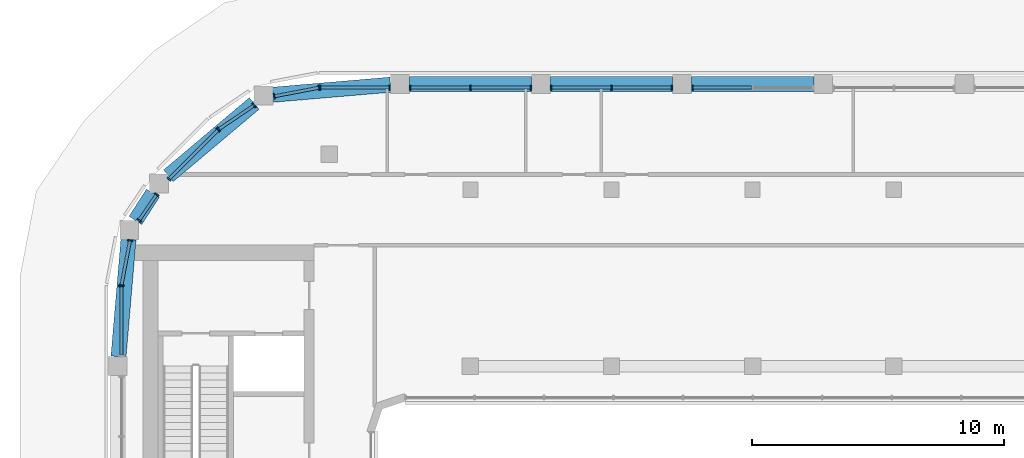
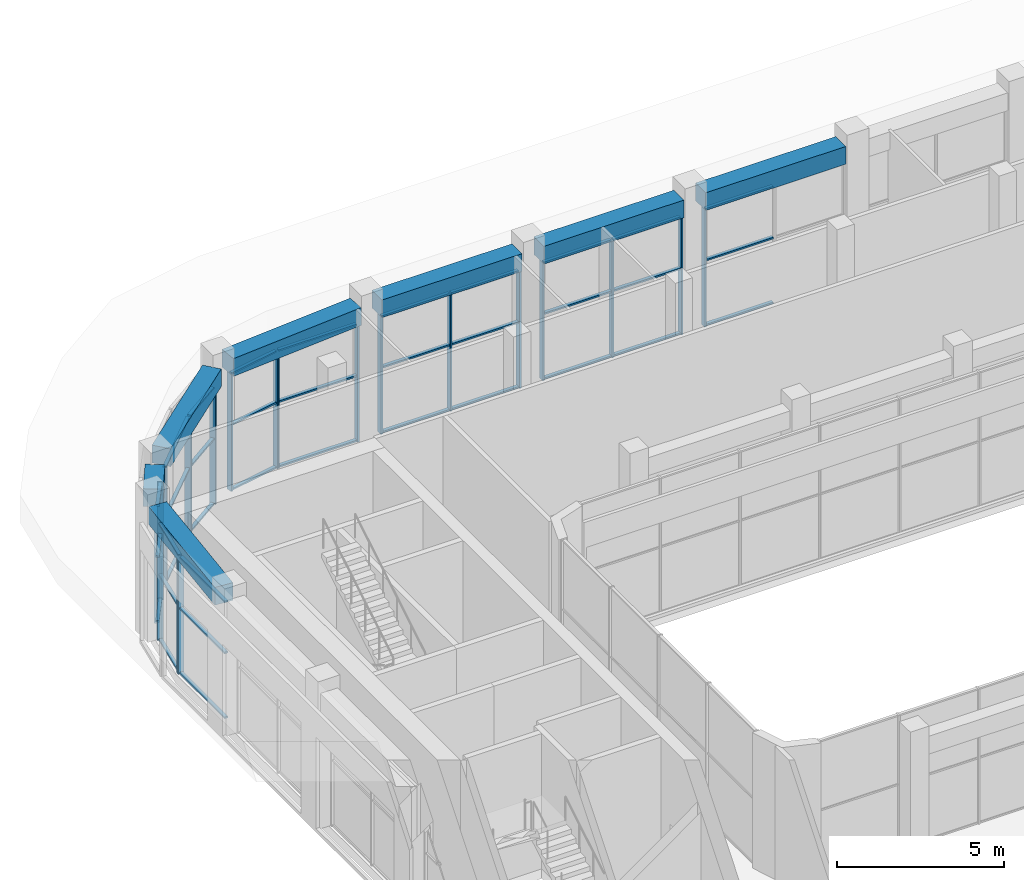
# One storey, part 9 of 24: 56 members, 7 beams, 10 elements without a shape of their own.
"""IFC4 building model written with IfcOpenShell, lengths in metres."""

from ifc_helpers import new_model, si_unit, direction, frame, origin, origin_2d, place, context, subcontext, project, spatial, rectangle, extrude, material, layer, layer_set, material_profile, profile_set, type_object, element, aggregate, save


model = new_model("IFC4")

# Units and contexts
model_context = context("Model", 3, precision=1e-05, world=origin(), true_north=direction((0.0, 1.0)))
body_context = subcontext(model_context, "Body", "Model", "MODEL_VIEW")
ifc_project = project(units=[si_unit("LENGTHUNIT", "METRE"), si_unit("AREAUNIT", "SQUARE_METRE"), si_unit("VOLUMEUNIT", "CUBIC_METRE"), si_unit("PLANEANGLEUNIT", "RADIAN"), si_unit("MASSUNIT", "GRAM", prefix="KILO")], contexts=[model_context])

# Site, building, storey
site_placement = place(None, origin())
site = spatial("IfcSite", under=ifc_project, at=site_placement, CompositionType="ELEMENT")
building_placement = place(site_placement, origin())
building = spatial("IfcBuilding", under=site, at=building_placement, Name="Kiln Ring Residences", CompositionType="ELEMENT")
storey_placement = place(building_placement, frame((0.0, 0.0, 283.699951171875)))
storey = spatial("IfcBuildingStorey", under=building, at=storey_placement, Name="L74", CompositionType="ELEMENT", Elevation=283.699951171875)

# Curtain wall, member
ifc_material_1 = material(Name="Aluminium and glass", Category="aluminium")
ifc_layer = layer(ifc_material_1, 0.199951171875)
ifc_layer_set = layer_set([ifc_layer], Name="CW1 CURTAIN WALL")
curtain_wall_type = type_object("IfcCurtainWallType", Name="CW1 CURTAIN WALL", PredefinedType="NOTDEFINED", material=ifc_layer_set)
placement = place(storey_placement, origin())
curtain_wall_1 = element("IfcCurtainWall", 1, at=placement, inside=storey, type_object=curtain_wall_type, Name="Curtain wall CW1 L74", PredefinedType="NOTDEFINED")
ifc_material_2 = material(Name="Aluminium 6063-T6", Category="aluminium")
ifc_material_profile_1 = material_profile(ifc_material_2, rectangle(XDim=0.199951171875, YDim=0.06005859375, at=origin_2d()), Name="AL 200x60")
ifc_profile_set_1 = profile_set([ifc_material_profile_1], Name="Aluminium 6063-T6")
member_type_1 = type_object("IfcMemberType", Name="CW1 MULLION 200 x 60", PredefinedType="MULLION", material=ifc_profile_set_1)
member_1_placement = place(storey_placement, frame((-2.39501953125, 19.449951171875, 0.0), z_axis=(0.0, 0.0, 1.0), x_axis=(0.0, -1.0, 0.0)))
member_1 = element("IfcMember", 2, at=member_1_placement, type_object=member_type_1, Name="CW1 mullion 3", PredefinedType="MULLION", context=body_context, shape_type="SweptSolid", body=[
    extrude(rectangle(XDim=0.199951171875, YDim=0.06005859375, at=origin_2d()), origin(), (0.0, 0.0, 1.0), 4.300048828125),
])

# Curtain wall, members
curtain_wall_2 = element("IfcCurtainWall", 3, at=placement, inside=storey, type_object=curtain_wall_type, Name="Curtain wall CW1 L74", PredefinedType="NOTDEFINED")
member_2_placement = place(storey_placement, frame((-3.205078125, 19.449951171875, 0.0), z_axis=(0.0, 0.0, 1.0), x_axis=(0.0, -1.0, 0.0)))
member_2 = element("IfcMember", 4, at=member_2_placement, type_object=member_type_1, Name="CW1 mullion 1", PredefinedType="MULLION", context=body_context, shape_type="SweptSolid", body=[
    extrude(rectangle(XDim=0.199951171875, YDim=0.06005859375, at=origin_2d()), origin(), (0.0, 0.0, 1.0), 4.300048828125),
])
member_3_placement = place(storey_placement, frame((-5.60009765625, 19.449951171875, 0.0), z_axis=(0.0, 0.0, 1.0), x_axis=(0.0, -1.0, 0.0)))
member_3 = element("IfcMember", 5, at=member_3_placement, type_object=member_type_1, Name="CW1 mullion 2", PredefinedType="MULLION", context=body_context, shape_type="SweptSolid", body=[
    extrude(rectangle(XDim=0.199951171875, YDim=0.06005859375, at=origin_2d()), origin(), (0.0, 0.0, 1.0), 4.300048828125),
])
member_4_placement = place(storey_placement, frame((-7.9951171875, 19.449951171875, 0.0), z_axis=(0.0, 0.0, 1.0), x_axis=(0.0, -1.0, 0.0)))
member_4 = element("IfcMember", 6, at=member_4_placement, type_object=member_type_1, Name="CW1 mullion 3", PredefinedType="MULLION", context=body_context, shape_type="SweptSolid", body=[
    extrude(rectangle(XDim=0.199951171875, YDim=0.06005859375, at=origin_2d()), origin(), (0.0, 0.0, 1.0), 4.300048828125),
])

curtain_wall_3 = element("IfcCurtainWall", 7, at=placement, inside=storey, type_object=curtain_wall_type, Name="Curtain wall CW1 L74", PredefinedType="NOTDEFINED")
member_5_placement = place(storey_placement, frame((-8.804931640625, 19.449951171875, 0.0), z_axis=(0.0, 0.0, 1.0), x_axis=(0.0, -1.0, 0.0)))
member_5 = element("IfcMember", 8, at=member_5_placement, type_object=member_type_1, Name="CW1 mullion 1", PredefinedType="MULLION", context=body_context, shape_type="SweptSolid", body=[
    extrude(rectangle(XDim=0.199951171875, YDim=0.06005859375, at=origin_2d()), origin(), (0.0, 0.0, 1.0), 4.300048828125),
])
member_6_placement = place(storey_placement, frame((-11.199951171875, 19.449951171875, 0.0), z_axis=(0.0, 0.0, 1.0), x_axis=(0.0, -1.0, 0.0)))
member_6 = element("IfcMember", 9, at=member_6_placement, type_object=member_type_1, Name="CW1 mullion 2", PredefinedType="MULLION", context=body_context, shape_type="SweptSolid", body=[
    extrude(rectangle(XDim=0.199951171875, YDim=0.06005859375, at=origin_2d()), origin(), (0.0, 0.0, 1.0), 4.300048828125),
])
member_7_placement = place(storey_placement, frame((-13.594970703125, 19.449951171875, 0.0), z_axis=(0.0, 0.0, 1.0), x_axis=(0.0, -1.0, 0.0)))
member_7 = element("IfcMember", 10, at=member_7_placement, type_object=member_type_1, Name="CW1 mullion 3", PredefinedType="MULLION", context=body_context, shape_type="SweptSolid", body=[
    extrude(rectangle(XDim=0.199951171875, YDim=0.06005859375, at=origin_2d()), origin(), (0.0, 0.0, 1.0), 4.300048828125),
])

curtain_wall_4 = element("IfcCurtainWall", 11, at=placement, inside=storey, type_object=curtain_wall_type, Name="Curtain wall CW1 L74", PredefinedType="NOTDEFINED")
member_8_placement = place(storey_placement, frame((-14.405029296875, 19.449951171875, 0.0), z_axis=(0.0, 0.0, 1.0), x_axis=(0.0, -1.0, 0.0)))
member_8 = element("IfcMember", 12, at=member_8_placement, type_object=member_type_1, Name="CW1 mullion 1", PredefinedType="MULLION", context=body_context, shape_type="SweptSolid", body=[
    extrude(rectangle(XDim=0.199951171875, YDim=0.06005859375, at=origin_2d()), origin(), (0.0, 0.0, 1.0), 4.300048828125),
])
member_9_placement = place(storey_placement, frame((-17.169921875, 19.449951171875, 0.0), z_axis=(0.0, 0.0, 1.0), x_axis=(0.0, -1.0, 0.0)))
member_9 = element("IfcMember", 13, at=member_9_placement, type_object=member_type_1, Name="CW1 mullion 2", PredefinedType="MULLION", context=body_context, shape_type="SweptSolid", body=[
    extrude(rectangle(XDim=0.199951171875, YDim=0.06005859375, at=origin_2d()), origin(), (0.0, 0.0, 1.0), 4.300048828125),
])

curtain_wall_5 = element("IfcCurtainWall", 14, at=placement, inside=storey, type_object=curtain_wall_type, Name="Curtain wall CW1 L74", PredefinedType="NOTDEFINED")
member_10_placement = place(storey_placement, frame((-17.201416015625, 19.447021484375, 0.0), z_axis=(0.0, 0.0, 1.0), x_axis=(0.187365550364, -0.982290257784, 0.0)))
member_10 = element("IfcMember", 15, at=member_10_placement, type_object=member_type_1, Name="CW1 mullion 1", PredefinedType="MULLION", context=body_context, shape_type="SweptSolid", body=[
    extrude(rectangle(XDim=0.199951171875, YDim=0.06005859375, at=origin_2d()), origin(), (0.0, 0.0, 1.0), 4.300048828125),
])
member_11_placement = place(storey_placement, frame((-18.990234375, 19.105712890625, 0.0), z_axis=(0.0, 0.0, 1.0), x_axis=(0.187365550364, -0.982290257784, 0.0)))
member_11 = element("IfcMember", 16, at=member_11_placement, type_object=member_type_1, Name="CW1 mullion 2", PredefinedType="MULLION", context=body_context, shape_type="SweptSolid", body=[
    extrude(rectangle(XDim=0.199951171875, YDim=0.06005859375, at=origin_2d()), origin(), (0.0, 0.0, 1.0), 4.300048828125),
])

curtain_wall_6 = element("IfcCurtainWall", 17, at=placement, inside=storey, type_object=curtain_wall_type, Name="Curtain wall CW1 L74", PredefinedType="NOTDEFINED")
member_12_placement = place(storey_placement, frame((-19.789306640625, 18.746337890625, 0.0), z_axis=(0.0, 0.0, 1.0), x_axis=(0.562096651134, -0.827071553606, 0.0)))
member_12 = element("IfcMember", 18, at=member_12_placement, type_object=member_type_1, Name="CW1 mullion 1", PredefinedType="MULLION", context=body_context, shape_type="SweptSolid", body=[
    extrude(rectangle(XDim=0.199951171875, YDim=0.06005859375, at=origin_2d()), origin(), (0.0, 0.0, 1.0), 4.300048828125),
])
member_13_placement = place(storey_placement, frame((-21.18798828125, 17.795654296875, 0.0), z_axis=(0.0, 0.0, 1.0), x_axis=(0.562096651134, -0.827071553606, 0.0)))
member_13 = element("IfcMember", 19, at=member_13_placement, type_object=member_type_1, Name="CW1 mullion 2", PredefinedType="MULLION", context=body_context, shape_type="SweptSolid", body=[
    extrude(rectangle(XDim=0.199951171875, YDim=0.06005859375, at=origin_2d()), origin(), (0.0, 0.0, 1.0), 4.300048828125),
])

curtain_wall_7 = element("IfcCurtainWall", 20, at=placement, inside=storey, type_object=curtain_wall_type, Name="Curtain wall CW1 L74", PredefinedType="NOTDEFINED")
member_14_placement = place(storey_placement, frame((-21.212158203125, 17.775634765625, 0.0), z_axis=(0.0, 0.0, 1.0), x_axis=(0.707106781187, -0.707106781187, 0.0)))
member_14 = element("IfcMember", 21, at=member_14_placement, type_object=member_type_1, Name="CW1 mullion 1", PredefinedType="MULLION", context=body_context, shape_type="SweptSolid", body=[
    extrude(rectangle(XDim=0.199951171875, YDim=0.06005859375, at=origin_2d()), origin(), (0.0, 0.0, 1.0), 4.300048828125),
])
member_15_placement = place(storey_placement, frame((-23.16357421875, 15.82421875, 0.0), z_axis=(0.0, 0.0, 1.0), x_axis=(0.707106781187, -0.707106781187, 0.0)))
member_15 = element("IfcMember", 22, at=member_15_placement, type_object=member_type_1, Name="CW1 mullion 2", PredefinedType="MULLION", context=body_context, shape_type="SweptSolid", body=[
    extrude(rectangle(XDim=0.199951171875, YDim=0.06005859375, at=origin_2d()), origin(), (0.0, 0.0, 1.0), 4.300048828125),
])

curtain_wall_8 = element("IfcCurtainWall", 23, at=placement, inside=storey, type_object=curtain_wall_type, Name="Curtain wall CW1 L74", PredefinedType="NOTDEFINED")
member_16_placement = place(storey_placement, frame((-23.65087890625, 15.21240234375, 0.0), z_axis=(0.0, 0.0, 1.0), x_axis=(0.827071553674, -0.562096651033, 0.0)))
member_16 = element("IfcMember", 24, at=member_16_placement, type_object=member_type_1, Name="CW1 mullion 1", PredefinedType="MULLION", context=body_context, shape_type="SweptSolid", body=[
    extrude(rectangle(XDim=0.199951171875, YDim=0.06005859375, at=origin_2d()), origin(), (0.0, 0.0, 1.0), 4.300048828125),
])
member_17_placement = place(storey_placement, frame((-24.34619140625, 14.189453125, 0.0), z_axis=(0.0, 0.0, 1.0), x_axis=(0.827071553674, -0.562096651033, 0.0)))
member_17 = element("IfcMember", 25, at=member_17_placement, type_object=member_type_1, Name="CW1 mullion 2", PredefinedType="MULLION", context=body_context, shape_type="SweptSolid", body=[
    extrude(rectangle(XDim=0.199951171875, YDim=0.06005859375, at=origin_2d()), origin(), (0.0, 0.0, 1.0), 4.300048828125),
])

curtain_wall_9 = element("IfcCurtainWall", 26, at=placement, inside=storey, type_object=curtain_wall_type, Name="Curtain wall CW1 L74", PredefinedType="NOTDEFINED")
member_18_placement = place(storey_placement, frame((-24.705810546875, 13.39013671875, 0.0), z_axis=(0.0, 0.0, 1.0), x_axis=(0.982290257784, -0.187365550364, 0.0)))
member_18 = element("IfcMember", 27, at=member_18_placement, type_object=member_type_1, Name="CW1 mullion 1", PredefinedType="MULLION", context=body_context, shape_type="SweptSolid", body=[
    extrude(rectangle(XDim=0.199951171875, YDim=0.06005859375, at=origin_2d()), origin(), (0.0, 0.0, 1.0), 4.300048828125),
])
member_19_placement = place(storey_placement, frame((-25.047119140625, 11.601318359375, 0.0), z_axis=(0.0, 0.0, 1.0), x_axis=(0.982290257784, -0.187365550364, 0.0)))
member_19 = element("IfcMember", 28, at=member_19_placement, type_object=member_type_1, Name="CW1 mullion 2", PredefinedType="MULLION", context=body_context, shape_type="SweptSolid", body=[
    extrude(rectangle(XDim=0.199951171875, YDim=0.06005859375, at=origin_2d()), origin(), (0.0, 0.0, 1.0), 4.300048828125),
])

# Curtain wall, member
curtain_wall_10 = element("IfcCurtainWall", 29, at=placement, inside=storey, type_object=curtain_wall_type, Name="Curtain wall CW1 L74", PredefinedType="NOTDEFINED")
member_20_placement = place(storey_placement, frame((-25.050048828125, 11.570068359375, 0.0), z_axis=(0.0, 0.0, 1.0), x_axis=(1.0, 0.0, 0.0)))
member_20 = element("IfcMember", 30, at=member_20_placement, type_object=member_type_1, Name="CW1 mullion 1", PredefinedType="MULLION", context=body_context, shape_type="SweptSolid", body=[
    extrude(rectangle(XDim=0.199951171875, YDim=0.06005859375, at=origin_2d()), origin(), (0.0, 0.0, 1.0), 4.300048828125),
])

# Member
ifc_material_3 = material(Name="Aluminium 6063-T6", Category="aluminium")
ifc_material_profile_2 = material_profile(ifc_material_3, rectangle(XDim=0.1201171875, YDim=0.06005859375, at=origin_2d()), Name="AL 120x60")
ifc_profile_set_2 = profile_set([ifc_material_profile_2], Name="Aluminium 6063-T6")
member_type_2 = type_object("IfcMemberType", Name="CW1 TRANSOM 120 x 60", PredefinedType="USERDEFINED", material=ifc_profile_set_2)
member_21_placement = place(storey_placement, frame((-0.030029296875, 19.449951171875, 0.030029296875), z_axis=(-1.0, 0.0, 0.0), x_axis=(0.0, -1.0, 0.0)))
member_21 = element("IfcMember", 31, at=member_21_placement, type_object=member_type_2, Name="CW1 transom 2.1", ObjectType="TRANSOM", PredefinedType="USERDEFINED", context=body_context, shape_type="SweptSolid", body=[
    extrude(rectangle(XDim=0.1201171875, YDim=0.06005859375, at=origin_2d()), origin(), (0.0, 0.0, 1.0), 2.3349609375),
])

member_22_placement = place(storey_placement, frame((-0.030029296875, 19.449951171875, 2.400146484375), z_axis=(-1.0, 0.0, 0.0), x_axis=(0.0, -1.0, 0.0)))
member_22 = element("IfcMember", 32, at=member_22_placement, type_object=member_type_2, Name="CW1 transom 2.2", ObjectType="TRANSOM", PredefinedType="USERDEFINED", context=body_context, shape_type="SweptSolid", body=[
    extrude(rectangle(XDim=0.1201171875, YDim=0.06005859375, at=origin_2d()), origin(), (0.0, 0.0, 1.0), 2.3349609375),
])

member_23_placement = place(storey_placement, frame((-0.030029296875, 19.449951171875, 4.27001953125), z_axis=(-1.0, 0.0, 0.0), x_axis=(0.0, -1.0, 0.0)))
member_23 = element("IfcMember", 33, at=member_23_placement, type_object=member_type_2, Name="CW1 transom 2.3", ObjectType="TRANSOM", PredefinedType="USERDEFINED", context=body_context, shape_type="SweptSolid", body=[
    extrude(rectangle(XDim=0.1201171875, YDim=0.06005859375, at=origin_2d()), origin(), (0.0, 0.0, 1.0), 2.3349609375),
])

aggregate(curtain_wall_1, [member_1, member_21, member_22, member_23])

member_24_placement = place(storey_placement, frame((-3.235107421875, 19.449951171875, 0.030029296875), z_axis=(-1.0, 0.0, 0.0), x_axis=(0.0, -1.0, 0.0)))
member_24 = element("IfcMember", 34, at=member_24_placement, type_object=member_type_2, Name="CW1 transom 1.1", ObjectType="TRANSOM", PredefinedType="USERDEFINED", context=body_context, shape_type="SweptSolid", body=[
    extrude(rectangle(XDim=0.1201171875, YDim=0.06005859375, at=origin_2d()), origin(), (0.0, 0.0, 1.0), 2.3349609375),
])

member_25_placement = place(storey_placement, frame((-3.235107421875, 19.449951171875, 2.400146484375), z_axis=(-1.0, 0.0, 0.0), x_axis=(0.0, -1.0, 0.0)))
member_25 = element("IfcMember", 35, at=member_25_placement, type_object=member_type_2, Name="CW1 transom 1.2", ObjectType="TRANSOM", PredefinedType="USERDEFINED", context=body_context, shape_type="SweptSolid", body=[
    extrude(rectangle(XDim=0.1201171875, YDim=0.06005859375, at=origin_2d()), origin(), (0.0, 0.0, 1.0), 2.3349609375),
])

member_26_placement = place(storey_placement, frame((-3.235107421875, 19.449951171875, 4.27001953125), z_axis=(-1.0, 0.0, 0.0), x_axis=(0.0, -1.0, 0.0)))
member_26 = element("IfcMember", 36, at=member_26_placement, type_object=member_type_2, Name="CW1 transom 1.3", ObjectType="TRANSOM", PredefinedType="USERDEFINED", context=body_context, shape_type="SweptSolid", body=[
    extrude(rectangle(XDim=0.1201171875, YDim=0.06005859375, at=origin_2d()), origin(), (0.0, 0.0, 1.0), 2.3349609375),
])

member_27_placement = place(storey_placement, frame((-5.6298828125, 19.449951171875, 0.030029296875), z_axis=(-1.0, 0.0, 0.0), x_axis=(0.0, -1.0, 0.0)))
member_27 = element("IfcMember", 37, at=member_27_placement, type_object=member_type_2, Name="CW1 transom 2.1", ObjectType="TRANSOM", PredefinedType="USERDEFINED", context=body_context, shape_type="SweptSolid", body=[
    extrude(rectangle(XDim=0.1201171875, YDim=0.06005859375, at=origin_2d()), origin(), (0.0, 0.0, 1.0), 2.335205078125),
])

member_28_placement = place(storey_placement, frame((-5.6298828125, 19.449951171875, 2.400146484375), z_axis=(-1.0, 0.0, 0.0), x_axis=(0.0, -1.0, 0.0)))
member_28 = element("IfcMember", 38, at=member_28_placement, type_object=member_type_2, Name="CW1 transom 2.2", ObjectType="TRANSOM", PredefinedType="USERDEFINED", context=body_context, shape_type="SweptSolid", body=[
    extrude(rectangle(XDim=0.1201171875, YDim=0.06005859375, at=origin_2d()), origin(), (0.0, 0.0, 1.0), 2.335205078125),
])

member_29_placement = place(storey_placement, frame((-5.6298828125, 19.449951171875, 4.27001953125), z_axis=(-1.0, 0.0, 0.0), x_axis=(0.0, -1.0, 0.0)))
member_29 = element("IfcMember", 39, at=member_29_placement, type_object=member_type_2, Name="CW1 transom 2.3", ObjectType="TRANSOM", PredefinedType="USERDEFINED", context=body_context, shape_type="SweptSolid", body=[
    extrude(rectangle(XDim=0.1201171875, YDim=0.06005859375, at=origin_2d()), origin(), (0.0, 0.0, 1.0), 2.335205078125),
])

aggregate(curtain_wall_2, [member_2, member_3, member_4, member_24, member_25, member_26, member_27, member_28, member_29])

member_30_placement = place(storey_placement, frame((-8.8349609375, 19.449951171875, 0.030029296875), z_axis=(-1.0, 0.0, 0.0), x_axis=(0.0, -1.0, 0.0)))
member_30 = element("IfcMember", 40, at=member_30_placement, type_object=member_type_2, Name="CW1 transom 1.1", ObjectType="TRANSOM", PredefinedType="USERDEFINED", context=body_context, shape_type="SweptSolid", body=[
    extrude(rectangle(XDim=0.1201171875, YDim=0.06005859375, at=origin_2d()), origin(), (0.0, 0.0, 1.0), 2.3349609375),
])

member_31_placement = place(storey_placement, frame((-8.8349609375, 19.449951171875, 2.400146484375), z_axis=(-1.0, 0.0, 0.0), x_axis=(0.0, -1.0, 0.0)))
member_31 = element("IfcMember", 41, at=member_31_placement, type_object=member_type_2, Name="CW1 transom 1.2", ObjectType="TRANSOM", PredefinedType="USERDEFINED", context=body_context, shape_type="SweptSolid", body=[
    extrude(rectangle(XDim=0.1201171875, YDim=0.06005859375, at=origin_2d()), origin(), (0.0, 0.0, 1.0), 2.3349609375),
])

member_32_placement = place(storey_placement, frame((-8.8349609375, 19.449951171875, 4.27001953125), z_axis=(-1.0, 0.0, 0.0), x_axis=(0.0, -1.0, 0.0)))
member_32 = element("IfcMember", 42, at=member_32_placement, type_object=member_type_2, Name="CW1 transom 1.3", ObjectType="TRANSOM", PredefinedType="USERDEFINED", context=body_context, shape_type="SweptSolid", body=[
    extrude(rectangle(XDim=0.1201171875, YDim=0.06005859375, at=origin_2d()), origin(), (0.0, 0.0, 1.0), 2.3349609375),
])

member_33_placement = place(storey_placement, frame((-11.22998046875, 19.449951171875, 0.030029296875), z_axis=(-1.0, 0.0, 0.0), x_axis=(0.0, -1.0, 0.0)))
member_33 = element("IfcMember", 43, at=member_33_placement, type_object=member_type_2, Name="CW1 transom 2.1", ObjectType="TRANSOM", PredefinedType="USERDEFINED", context=body_context, shape_type="SweptSolid", body=[
    extrude(rectangle(XDim=0.1201171875, YDim=0.06005859375, at=origin_2d()), origin(), (0.0, 0.0, 1.0), 2.3349609375),
])

member_34_placement = place(storey_placement, frame((-11.22998046875, 19.449951171875, 2.400146484375), z_axis=(-1.0, 0.0, 0.0), x_axis=(0.0, -1.0, 0.0)))
member_34 = element("IfcMember", 44, at=member_34_placement, type_object=member_type_2, Name="CW1 transom 2.2", ObjectType="TRANSOM", PredefinedType="USERDEFINED", context=body_context, shape_type="SweptSolid", body=[
    extrude(rectangle(XDim=0.1201171875, YDim=0.06005859375, at=origin_2d()), origin(), (0.0, 0.0, 1.0), 2.3349609375),
])

member_35_placement = place(storey_placement, frame((-11.22998046875, 19.449951171875, 4.27001953125), z_axis=(-1.0, 0.0, 0.0), x_axis=(0.0, -1.0, 0.0)))
member_35 = element("IfcMember", 45, at=member_35_placement, type_object=member_type_2, Name="CW1 transom 2.3", ObjectType="TRANSOM", PredefinedType="USERDEFINED", context=body_context, shape_type="SweptSolid", body=[
    extrude(rectangle(XDim=0.1201171875, YDim=0.06005859375, at=origin_2d()), origin(), (0.0, 0.0, 1.0), 2.3349609375),
])

aggregate(curtain_wall_3, [member_5, member_6, member_7, member_30, member_31, member_32, member_33, member_34, member_35])

member_36_placement = place(storey_placement, frame((-14.43505859375, 19.449951171875, 0.030029296875), z_axis=(-1.0, 0.0, 0.0), x_axis=(0.0, -1.0, 0.0)))
member_36 = element("IfcMember", 46, at=member_36_placement, type_object=member_type_2, Name="CW1 transom 1.1", ObjectType="TRANSOM", PredefinedType="USERDEFINED", context=body_context, shape_type="SweptSolid", body=[
    extrude(rectangle(XDim=0.1201171875, YDim=0.06005859375, at=origin_2d()), origin(), (0.0, 0.0, 1.0), 2.704833984375),
])

member_37_placement = place(storey_placement, frame((-14.43505859375, 19.449951171875, 2.400146484375), z_axis=(-1.0, 0.0, 0.0), x_axis=(0.0, -1.0, 0.0)))
member_37 = element("IfcMember", 47, at=member_37_placement, type_object=member_type_2, Name="CW1 transom 1.2", ObjectType="TRANSOM", PredefinedType="USERDEFINED", context=body_context, shape_type="SweptSolid", body=[
    extrude(rectangle(XDim=0.1201171875, YDim=0.06005859375, at=origin_2d()), origin(), (0.0, 0.0, 1.0), 2.704833984375),
])

member_38_placement = place(storey_placement, frame((-14.43505859375, 19.449951171875, 4.27001953125), z_axis=(-1.0, 0.0, 0.0), x_axis=(0.0, -1.0, 0.0)))
member_38 = element("IfcMember", 48, at=member_38_placement, type_object=member_type_2, Name="CW1 transom 1.3", ObjectType="TRANSOM", PredefinedType="USERDEFINED", context=body_context, shape_type="SweptSolid", body=[
    extrude(rectangle(XDim=0.1201171875, YDim=0.06005859375, at=origin_2d()), origin(), (0.0, 0.0, 1.0), 2.704833984375),
])

aggregate(curtain_wall_4, [member_8, member_9, member_36, member_37, member_38])

member_39_placement = place(storey_placement, frame((-17.230712890625, 19.44140625, 0.030029296875), z_axis=(-0.982280279114, -0.187417857375, 0.0), x_axis=(0.187417857375, -0.982280279114, 0.0)))
member_39 = element("IfcMember", 49, at=member_39_placement, type_object=member_type_2, Name="CW1 transom 1.1", ObjectType="TRANSOM", PredefinedType="USERDEFINED", context=body_context, shape_type="SweptSolid", body=[
    extrude(rectangle(XDim=0.1201171875, YDim=0.06005859375, at=origin_2d()), origin(), (0.0, 0.0, 1.0), 1.76123046875),
])

member_40_placement = place(storey_placement, frame((-17.230712890625, 19.44140625, 2.400146484375), z_axis=(-0.982280279114, -0.187417857375, 0.0), x_axis=(0.187417857375, -0.982280279114, 0.0)))
member_40 = element("IfcMember", 50, at=member_40_placement, type_object=member_type_2, Name="CW1 transom 1.2", ObjectType="TRANSOM", PredefinedType="USERDEFINED", context=body_context, shape_type="SweptSolid", body=[
    extrude(rectangle(XDim=0.1201171875, YDim=0.06005859375, at=origin_2d()), origin(), (0.0, 0.0, 1.0), 1.76123046875),
])

member_41_placement = place(storey_placement, frame((-17.230712890625, 19.44140625, 4.27001953125), z_axis=(-0.982280279114, -0.187417857375, 0.0), x_axis=(0.187417857375, -0.982280279114, 0.0)))
member_41 = element("IfcMember", 51, at=member_41_placement, type_object=member_type_2, Name="CW1 transom 1.3", ObjectType="TRANSOM", PredefinedType="USERDEFINED", context=body_context, shape_type="SweptSolid", body=[
    extrude(rectangle(XDim=0.1201171875, YDim=0.06005859375, at=origin_2d()), origin(), (0.0, 0.0, 1.0), 1.76123046875),
])

aggregate(curtain_wall_5, [member_10, member_11, member_39, member_40, member_41])

member_42_placement = place(storey_placement, frame((-19.814208984375, 18.7294921875, 0.030029296875), z_axis=(-0.826996096484, -0.562207663058, 0.0), x_axis=(0.562207663058, -0.826996096484, 0.0)))
member_42 = element("IfcMember", 52, at=member_42_placement, type_object=member_type_2, Name="CW1 transom 1.1", ObjectType="TRANSOM", PredefinedType="USERDEFINED", context=body_context, shape_type="SweptSolid", body=[
    extrude(rectangle(XDim=0.1201171875, YDim=0.06005859375, at=origin_2d()), origin(), (0.0, 0.0, 1.0), 1.631103515625),
])

member_43_placement = place(storey_placement, frame((-19.814208984375, 18.7294921875, 2.400146484375), z_axis=(-0.826996096484, -0.562207663058, 0.0), x_axis=(0.562207663058, -0.826996096484, 0.0)))
member_43 = element("IfcMember", 53, at=member_43_placement, type_object=member_type_2, Name="CW1 transom 1.2", ObjectType="TRANSOM", PredefinedType="USERDEFINED", context=body_context, shape_type="SweptSolid", body=[
    extrude(rectangle(XDim=0.1201171875, YDim=0.06005859375, at=origin_2d()), origin(), (0.0, 0.0, 1.0), 1.631103515625),
])

member_44_placement = place(storey_placement, frame((-19.814208984375, 18.7294921875, 4.27001953125), z_axis=(-0.826996096484, -0.562207663058, 0.0), x_axis=(0.562207663058, -0.826996096484, 0.0)))
member_44 = element("IfcMember", 54, at=member_44_placement, type_object=member_type_2, Name="CW1 transom 1.3", ObjectType="TRANSOM", PredefinedType="USERDEFINED", context=body_context, shape_type="SweptSolid", body=[
    extrude(rectangle(XDim=0.1201171875, YDim=0.06005859375, at=origin_2d()), origin(), (0.0, 0.0, 1.0), 1.631103515625),
])

aggregate(curtain_wall_6, [member_12, member_13, member_42, member_43, member_44])

member_45_placement = place(storey_placement, frame((-21.2333984375, 17.75439453125, 0.030029296875), z_axis=(-0.707106781187, -0.707106781187, 0.0), x_axis=(0.707106781187, -0.707106781187, 0.0)))
member_45 = element("IfcMember", 55, at=member_45_placement, type_object=member_type_2, Name="CW1 transom 1.1", ObjectType="TRANSOM", PredefinedType="USERDEFINED", context=body_context, shape_type="SweptSolid", body=[
    extrude(rectangle(XDim=0.1201171875, YDim=0.06005859375, at=origin_2d()), origin(), (0.0, 0.0, 1.0), 2.69970703125),
])

member_46_placement = place(storey_placement, frame((-21.2333984375, 17.75439453125, 2.400146484375), z_axis=(-0.707106781187, -0.707106781187, 0.0), x_axis=(0.707106781187, -0.707106781187, 0.0)))
member_46 = element("IfcMember", 56, at=member_46_placement, type_object=member_type_2, Name="CW1 transom 1.2", ObjectType="TRANSOM", PredefinedType="USERDEFINED", context=body_context, shape_type="SweptSolid", body=[
    extrude(rectangle(XDim=0.1201171875, YDim=0.06005859375, at=origin_2d()), origin(), (0.0, 0.0, 1.0), 2.69970703125),
])

member_47_placement = place(storey_placement, frame((-21.2333984375, 17.75439453125, 4.27001953125), z_axis=(-0.707106781187, -0.707106781187, 0.0), x_axis=(0.707106781187, -0.707106781187, 0.0)))
member_47 = element("IfcMember", 57, at=member_47_placement, type_object=member_type_2, Name="CW1 transom 1.3", ObjectType="TRANSOM", PredefinedType="USERDEFINED", context=body_context, shape_type="SweptSolid", body=[
    extrude(rectangle(XDim=0.1201171875, YDim=0.06005859375, at=origin_2d()), origin(), (0.0, 0.0, 1.0), 2.69970703125),
])

aggregate(curtain_wall_7, [member_14, member_15, member_45, member_46, member_47])

member_48_placement = place(storey_placement, frame((-23.667724609375, 15.187744140625, 0.030029296875), z_axis=(-0.56204904385, -0.827103906596, 0.0), x_axis=(0.827103906596, -0.56204904385, 0.0)))
member_48 = element("IfcMember", 58, at=member_48_placement, type_object=member_type_2, Name="CW1 transom 1.1", ObjectType="TRANSOM", PredefinedType="USERDEFINED", context=body_context, shape_type="SweptSolid", body=[
    extrude(rectangle(XDim=0.1201171875, YDim=0.06005859375, at=origin_2d()), origin(), (0.0, 0.0, 1.0), 1.17724609375),
])

member_49_placement = place(storey_placement, frame((-23.667724609375, 15.187744140625, 2.400146484375), z_axis=(-0.56204904385, -0.827103906596, 0.0), x_axis=(0.827103906596, -0.56204904385, 0.0)))
member_49 = element("IfcMember", 59, at=member_49_placement, type_object=member_type_2, Name="CW1 transom 1.2", ObjectType="TRANSOM", PredefinedType="USERDEFINED", context=body_context, shape_type="SweptSolid", body=[
    extrude(rectangle(XDim=0.1201171875, YDim=0.06005859375, at=origin_2d()), origin(), (0.0, 0.0, 1.0), 1.17724609375),
])

member_50_placement = place(storey_placement, frame((-23.667724609375, 15.187744140625, 4.27001953125), z_axis=(-0.56204904385, -0.827103906596, 0.0), x_axis=(0.827103906596, -0.56204904385, 0.0)))
member_50 = element("IfcMember", 60, at=member_50_placement, type_object=member_type_2, Name="CW1 transom 1.3", ObjectType="TRANSOM", PredefinedType="USERDEFINED", context=body_context, shape_type="SweptSolid", body=[
    extrude(rectangle(XDim=0.1201171875, YDim=0.06005859375, at=origin_2d()), origin(), (0.0, 0.0, 1.0), 1.17724609375),
])

aggregate(curtain_wall_8, [member_16, member_17, member_48, member_49, member_50])

member_51_placement = place(storey_placement, frame((-24.71142578125, 13.36083984375, 0.030029296875), z_axis=(-0.187417857375, -0.982280279114, 0.0), x_axis=(0.982280279114, -0.187417857375, 0.0)))
member_51 = element("IfcMember", 61, at=member_51_placement, type_object=member_type_2, Name="CW1 transom 1.1", ObjectType="TRANSOM", PredefinedType="USERDEFINED", context=body_context, shape_type="SweptSolid", body=[
    extrude(rectangle(XDim=0.1201171875, YDim=0.06005859375, at=origin_2d()), origin(), (0.0, 0.0, 1.0), 1.76123046875),
])

member_52_placement = place(storey_placement, frame((-24.71142578125, 13.36083984375, 2.400146484375), z_axis=(-0.187417857375, -0.982280279114, 0.0), x_axis=(0.982280279114, -0.187417857375, 0.0)))
member_52 = element("IfcMember", 62, at=member_52_placement, type_object=member_type_2, Name="CW1 transom 1.2", ObjectType="TRANSOM", PredefinedType="USERDEFINED", context=body_context, shape_type="SweptSolid", body=[
    extrude(rectangle(XDim=0.1201171875, YDim=0.06005859375, at=origin_2d()), origin(), (0.0, 0.0, 1.0), 1.76123046875),
])

member_53_placement = place(storey_placement, frame((-24.71142578125, 13.36083984375, 4.27001953125), z_axis=(-0.187417857375, -0.982280279114, 0.0), x_axis=(0.982280279114, -0.187417857375, 0.0)))
member_53 = element("IfcMember", 63, at=member_53_placement, type_object=member_type_2, Name="CW1 transom 1.3", ObjectType="TRANSOM", PredefinedType="USERDEFINED", context=body_context, shape_type="SweptSolid", body=[
    extrude(rectangle(XDim=0.1201171875, YDim=0.06005859375, at=origin_2d()), origin(), (0.0, 0.0, 1.0), 1.76123046875),
])

aggregate(curtain_wall_9, [member_18, member_19, member_51, member_52, member_53])

member_54_placement = place(storey_placement, frame((-25.050048828125, 11.5400390625, 0.030029296875), z_axis=(0.0, -1.0, 0.0), x_axis=(1.0, 0.0, 0.0)))
member_54 = element("IfcMember", 64, at=member_54_placement, type_object=member_type_2, Name="CW1 transom 1.1", ObjectType="TRANSOM", PredefinedType="USERDEFINED", context=body_context, shape_type="SweptSolid", body=[
    extrude(rectangle(XDim=0.1201171875, YDim=0.06005859375, at=origin_2d()), origin(), (0.0, 0.0, 1.0), 2.705078125),
])

member_55_placement = place(storey_placement, frame((-25.050048828125, 11.5400390625, 2.400146484375), z_axis=(0.0, -1.0, 0.0), x_axis=(1.0, 0.0, 0.0)))
member_55 = element("IfcMember", 65, at=member_55_placement, type_object=member_type_2, Name="CW1 transom 1.2", ObjectType="TRANSOM", PredefinedType="USERDEFINED", context=body_context, shape_type="SweptSolid", body=[
    extrude(rectangle(XDim=0.1201171875, YDim=0.06005859375, at=origin_2d()), origin(), (0.0, 0.0, 1.0), 2.705078125),
])

member_56_placement = place(storey_placement, frame((-25.050048828125, 11.5400390625, 4.27001953125), z_axis=(0.0, -1.0, 0.0), x_axis=(1.0, 0.0, 0.0)))
member_56 = element("IfcMember", 66, at=member_56_placement, type_object=member_type_2, Name="CW1 transom 1.3", ObjectType="TRANSOM", PredefinedType="USERDEFINED", context=body_context, shape_type="SweptSolid", body=[
    extrude(rectangle(XDim=0.1201171875, YDim=0.06005859375, at=origin_2d()), origin(), (0.0, 0.0, 1.0), 2.705078125),
])

aggregate(curtain_wall_10, [member_20, member_54, member_55, member_56])

# Beams
ifc_material_4 = material(Name="Concrete C50/60", Category="concrete")
ifc_material_profile_3 = material_profile(ifc_material_4, rectangle(XDim=0.60009765625, YDim=0.64990234375, at=origin_2d()), Name="RC600x650")
ifc_profile_set_3 = profile_set([ifc_material_profile_3], Name="Concrete C50/60")
beam_type = type_object("IfcBeamType", Name="Spandrel beam RC600x650 C50/60", PredefinedType="SPANDREL", material=ifc_profile_set_3)
beam_1_placement = place(storey_placement, frame((2.425048828125, 19.60009765625, 4.625), z_axis=(-1.0, 0.0, 0.0), x_axis=(0.0, -1.0, 0.0)))
element("IfcBeam", 67, at=beam_1_placement, inside=storey, type_object=beam_type, Name="Spandrel beam L74 20", PredefinedType="SPANDREL", context=body_context, shape_type="SweptSolid", body=[
    extrude(rectangle(XDim=0.60009765625, YDim=0.64990234375, at=origin_2d()), origin(), (0.0, 0.0, 1.0), 4.85009765625),
])
beam_2_placement = place(storey_placement, frame((-3.175048828125, 19.60009765625, 4.625), z_axis=(-1.0, 0.0, 0.0), x_axis=(0.0, -1.0, 0.0)))
element("IfcBeam", 68, at=beam_2_placement, inside=storey, type_object=beam_type, Name="Spandrel beam L74 21", PredefinedType="SPANDREL", context=body_context, shape_type="SweptSolid", body=[
    extrude(rectangle(XDim=0.60009765625, YDim=0.64990234375, at=origin_2d()), origin(), (0.0, 0.0, 1.0), 4.849853515625),
])
beam_3_placement = place(storey_placement, frame((-8.77490234375, 19.60009765625, 4.625), z_axis=(-1.0, 0.0, 0.0), x_axis=(0.0, -1.0, 0.0)))
element("IfcBeam", 69, at=beam_3_placement, inside=storey, type_object=beam_type, Name="Spandrel beam L74 22", PredefinedType="SPANDREL", context=body_context, shape_type="SweptSolid", body=[
    extrude(rectangle(XDim=0.60009765625, YDim=0.64990234375, at=origin_2d()), origin(), (0.0, 0.0, 1.0), 4.85009765625),
])
beam_4_placement = place(storey_placement, frame((-14.375, 19.56787109375, 4.625), z_axis=(-0.996375913916, -0.085059027553, 0.0), x_axis=(0.085059027553, -0.996375913916, 0.0)))
element("IfcBeam", 70, at=beam_4_placement, inside=storey, type_object=beam_type, Name="Spandrel beam L74 23", PredefinedType="SPANDREL", context=body_context, shape_type="SweptSolid", body=[
    extrude(rectangle(XDim=0.60009765625, YDim=0.64990234375, at=origin_2d()), origin(), (0.0, 0.0, 1.0), 4.675537109375),
])
beam_5_placement = place(storey_placement, frame((-19.78369140625, 18.822021484375, 4.625), z_axis=(-0.764731805725, -0.644348714062, 0.0), x_axis=(0.644348714062, -0.764731805725, 0.0)))
element("IfcBeam", 71, at=beam_5_placement, inside=storey, type_object=beam_type, Name="Spandrel beam L74 24", PredefinedType="SPANDREL", context=body_context, shape_type="SweptSolid", body=[
    extrude(rectangle(XDim=0.60009765625, YDim=0.64990234375, at=origin_2d()), origin(), (0.0, 0.0, 1.0), 4.447509765625),
])
beam_6_placement = place(storey_placement, frame((-23.801025390625, 15.26513671875, 4.625), z_axis=(-0.541045404444, -0.840993383048, 0.0), x_axis=(0.840993383048, -0.541045404444, 0.0)))
element("IfcBeam", 72, at=beam_6_placement, inside=storey, type_object=beam_type, Name="Spandrel beam L74 25", PredefinedType="SPANDREL", context=body_context, shape_type="SweptSolid", body=[
    extrude(rectangle(XDim=0.60009765625, YDim=0.64990234375, at=origin_2d()), origin(), (0.0, 0.0, 1.0), 1.2861328125),
])
beam_7_placement = place(storey_placement, frame((-24.77001953125, 13.43359375, 4.625), z_axis=(-0.085110864913, -0.996371487285, 0.0), x_axis=(0.996371487285, -0.085110864913, 0.0)))
element("IfcBeam", 73, at=beam_7_placement, inside=storey, type_object=beam_type, Name="Spandrel beam L74 26", PredefinedType="SPANDREL", context=body_context, shape_type="SweptSolid", body=[
    extrude(rectangle(XDim=0.60009765625, YDim=0.64990234375, at=origin_2d()), origin(), (0.0, 0.0, 1.0), 4.675537109375),
])

save(model, "model.ifc")
